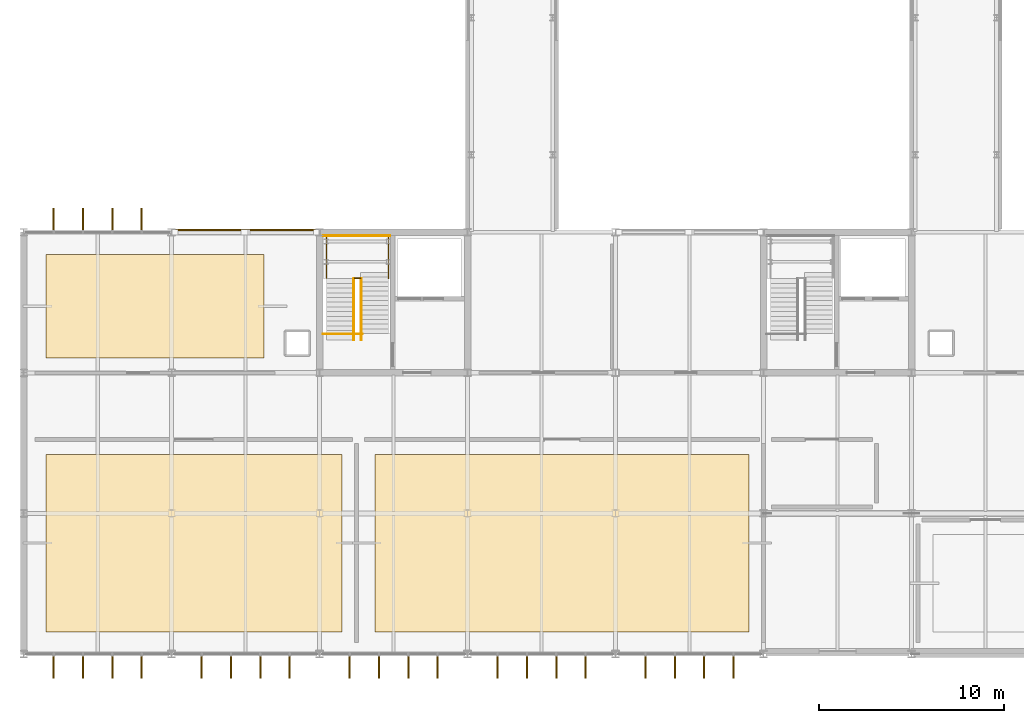
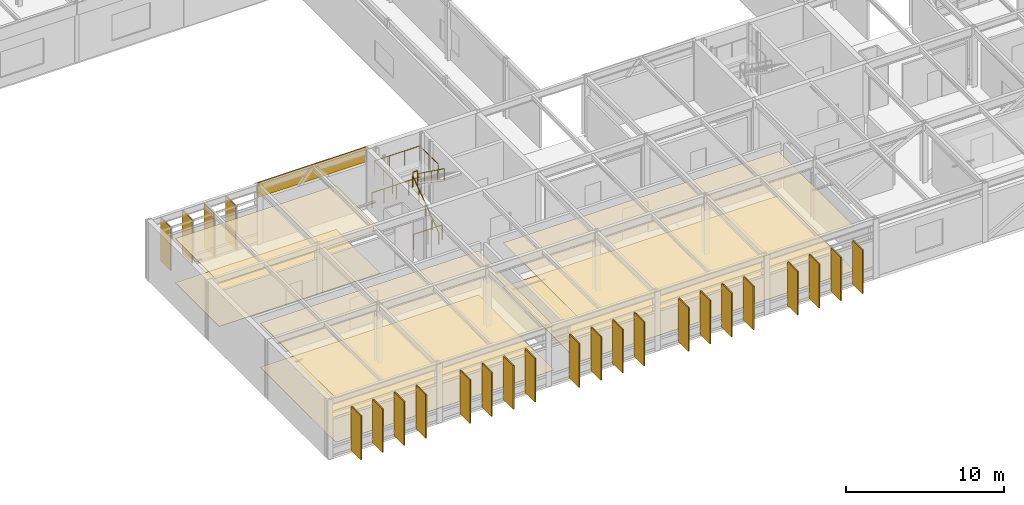
# One storey, part 96 of 104: 24 shading devices, 7 coverings, 6 railings.
"""IFC4 building model written with IfcOpenShell, lengths in metres."""

from ifc_helpers import new_model, si_unit, direction, frame, origin, origin_2d, place, context, subcontext, project, spatial, polyline, rectangle, circle, outline, extrude, material, layer, layer_set, type_object, element, save


model = new_model("IFC4")

# Units and contexts
model_context = context("Model", 3, precision=1e-05, world=origin(), true_north=direction((0.0, 1.0)))
body_context = subcontext(model_context, "Body", "Model", "MODEL_VIEW")
ifc_project = project(units=[si_unit("LENGTHUNIT", "METRE"), si_unit("AREAUNIT", "SQUARE_METRE"), si_unit("VOLUMEUNIT", "CUBIC_METRE"), si_unit("PLANEANGLEUNIT", "RADIAN"), si_unit("MASSUNIT", "GRAM", prefix="KILO")], contexts=[model_context])

# Site, building, storey
site_placement = place(None, origin())
site = spatial("IfcSite", under=ifc_project, at=site_placement, CompositionType="ELEMENT")
building_placement = place(site_placement, origin())
building = spatial("IfcBuilding", under=site, at=building_placement, Name="Zulena Civic Courthouse", CompositionType="ELEMENT")
storey_placement = place(building_placement, frame((0.0, 0.0, 15.60009765625)))
storey = spatial("IfcBuildingStorey", under=building, at=storey_placement, Name="L03", CompositionType="ELEMENT", Elevation=15.60009765625)

# Coverings
ifc_material_1 = material(Name="Perforated acoustic mineral-fibre ceiling tile", Category="concrete")
ifc_layer_1 = layer(ifc_material_1, 0.02490234375)
ifc_layer_set_1 = layer_set([ifc_layer_1], Name="Perforated acoustic mineral-fibre ceiling tile")
covering_type_1 = type_object("IfcCoveringType", Name="AcousticCeiling_25", PredefinedType="CEILING", material=ifc_layer_set_1)
covering_1_placement = place(storey_placement, frame((0.0, 0.0, 3.419921875)))
element("IfcCovering", 1, at=covering_1_placement, inside=storey, type_object=covering_type_1, Name="ceil:L03:311", PredefinedType="CEILING", context=body_context, shape_type="SweptSolid", body=[
    extrude(outline(polyline([(5.199951171875, 1.199951171875), (21.199951171875, 1.199951171875), (21.199951171875, 10.800048828125), (5.199951171875, 10.800048828125), (5.199951171875, 1.199951171875)])), origin(), (0.0, 0.0, 1.0), 0.02490234375),
])
covering_2_placement = place(storey_placement, frame((0.0, 0.0, 3.419921875)))
element("IfcCovering", 2, at=covering_2_placement, inside=storey, type_object=covering_type_1, Name="ceil:L03:312", PredefinedType="CEILING", context=body_context, shape_type="SweptSolid", body=[
    extrude(outline(polyline([(23.0, 1.199951171875), (43.199951171875, 1.199951171875), (43.199951171875, 10.800048828125), (23.0, 10.800048828125), (23.0, 1.199951171875)])), origin(), (0.0, 0.0, 1.0), 0.02490234375),
])
covering_3_placement = place(storey_placement, frame((0.0, 0.0, 3.419921875)))
element("IfcCovering", 3, at=covering_3_placement, inside=storey, type_object=covering_type_1, Name="ceil:L03:317", PredefinedType="CEILING", context=body_context, shape_type="SweptSolid", body=[
    extrude(outline(polyline([(5.199951171875, 16.0), (17.0, 16.0), (17.0, 21.60009765625), (5.199951171875, 21.60009765625), (5.199951171875, 16.0)])), origin(), (0.0, 0.0, 1.0), 0.02490234375),
])

# Shading devices
ifc_material_2 = material(Name="Gold anodised architectural aluminium AA6063-T6", Category="aluminium")
shading_device_type = type_object("IfcShadingDeviceType", Name="GoldSolarFin_350", PredefinedType="USERDEFINED", material=ifc_material_2)
for number, where, z_axis, x_axis, name in (
    (4, (5.62158203125, 23.485107421875, 0.0498046875), (0.0, 0.0, 1.0), (0.0, 1.0, 0.0), "fin:V2:L03:1:0:1"),
    (5, (7.207275390625, 23.485107421875, 0.0498046875), (0.0, 0.0, 1.0), (0.0, 1.0, 0.0), "fin:V2:L03:1:0:2"),
    (6, (8.792724609375, 23.485107421875, 0.0498046875), (0.0, 0.0, 1.0), (0.0, 1.0, 0.0), "fin:V2:L03:1:0:3"),
    (7, (10.37841796875, 23.485107421875, 0.0498046875), (0.0, 0.0, 1.0), (0.0, 1.0, 0.0), "fin:V2:L03:1:0:4"),
    (8, (42.37841796875, -0.68505859375, 0.0498046875), (0.0, 0.0, 1.0), (0.0, -1.0, 0.0), "fin:V2:L03:3:3:1"),
    (9, (40.792724609375, -0.68505859375, 0.0498046875), (0.0, 0.0, 1.0), (0.0, -1.0, 0.0), "fin:V2:L03:3:3:2"),
    (10, (39.207275390625, -0.68505859375, 0.0498046875), (0.0, 0.0, 1.0), (0.0, -1.0, 0.0), "fin:V2:L03:3:3:3"),
    (11, (37.62158203125, -0.68505859375, 0.0498046875), (0.0, 0.0, 1.0), (0.0, -1.0, 0.0), "fin:V2:L03:3:3:4"),
    (12, (34.37841796875, -0.68505859375, 0.0498046875), (0.0, 0.0, 1.0), (0.0, -1.0, 0.0), "fin:V2:L03:3:4:1"),
    (13, (32.792724609375, -0.68505859375, 0.0498046875), (0.0, 0.0, 1.0), (0.0, -1.0, 0.0), "fin:V2:L03:3:4:2"),
    (14, (31.207275390625, -0.68505859375, 0.0498046875), (0.0, 0.0, 1.0), (0.0, -1.0, 0.0), "fin:V2:L03:3:4:3"),
    (15, (29.62158203125, -0.68505859375, 0.0498046875), (0.0, 0.0, 1.0), (0.0, -1.0, 0.0), "fin:V2:L03:3:4:4"),
    (16, (26.37841796875, -0.68505859375, 0.0498046875), (0.0, 0.0, 1.0), (0.0, -1.0, 0.0), "fin:V2:L03:3:5:1"),
    (17, (24.792724609375, -0.68505859375, 0.0498046875), (0.0, 0.0, 1.0), (0.0, -1.0, 0.0), "fin:V2:L03:3:5:2"),
    (18, (23.207275390625, -0.68505859375, 0.0498046875), (0.0, 0.0, 1.0), (0.0, -1.0, 0.0), "fin:V2:L03:3:5:3"),
    (19, (21.62158203125, -0.68505859375, 0.0498046875), (0.0, 0.0, 1.0), (0.0, -1.0, 0.0), "fin:V2:L03:3:5:4"),
    (20, (18.37841796875, -0.68505859375, 0.0498046875), (0.0, 0.0, 1.0), (0.0, -1.0, 0.0), "fin:V2:L03:3:6:1"),
    (21, (16.792724609375, -0.68505859375, 0.0498046875), (0.0, 0.0, 1.0), (0.0, -1.0, 0.0), "fin:V2:L03:3:6:2"),
    (22, (15.207275390625, -0.68505859375, 0.0498046875), (0.0, 0.0, 1.0), (0.0, -1.0, 0.0), "fin:V2:L03:3:6:3"),
    (23, (13.62158203125, -0.68505859375, 0.0498046875), (0.0, 0.0, 1.0), (0.0, -1.0, 0.0), "fin:V2:L03:3:6:4"),
    (24, (10.37841796875, -0.68505859375, 0.0498046875), (0.0, 0.0, 1.0), (0.0, -1.0, 0.0), "fin:V2:L03:3:7:1"),
    (25, (8.792724609375, -0.68505859375, 0.0498046875), (0.0, 0.0, 1.0), (0.0, -1.0, 0.0), "fin:V2:L03:3:7:2"),
    (26, (7.207275390625, -0.68505859375, 0.0498046875), (0.0, 0.0, 1.0), (0.0, -1.0, 0.0), "fin:V2:L03:3:7:3"),
    (27, (5.62158203125, -0.68505859375, 0.0498046875), (0.0, 0.0, 1.0), (0.0, -1.0, 0.0), "fin:V2:L03:3:7:4"),
):
    element("IfcShadingDevice", number, at=place(storey_placement, frame(where, z_axis=z_axis, x_axis=x_axis)), inside=storey, type_object=shading_device_type, Name=name, ObjectType="FIN", PredefinedType="USERDEFINED", context=body_context, shape_type="SweptSolid", body=[
        extrude(rectangle(XDim=1.25, YDim=0.080078125, at=origin_2d()), origin(), (0.0, 0.0, 1.0), 3.389892578125),
    ])

# Railings
ifc_material_3 = material(Name="Brushed architectural steel ASTM A36", Category="steel")
railing_type_1 = type_object("IfcRailingType", Name="InteriorGuardrail_1150", PredefinedType="GUARDRAIL", material=ifc_material_3)
railing_1_placement = place(storey_placement, frame((20.199951171875, 22.610107421875, 0.0)))
element("IfcRailing", 28, at=railing_1_placement, inside=storey, type_object=railing_type_1, Name="gr:wellN:K2A:L02", PredefinedType="GUARDRAIL", context=body_context, shape_type="SweptSolid", body=[
    extrude(circle(Radius=0.02392578125, at=origin_2d()), frame((0.00390625, 0.0, 1.1259765625), z_axis=(1.0, 0.0, 0.0), x_axis=(0.0, 1.0, 0.0)), (0.0, 0.0, 1.0), 3.592041015625),
    extrude(circle(Radius=0.02099609375, at=origin_2d()), origin(), (0.0, 0.0, 1.0), 1.097900390625),
    extrude(circle(Radius=0.02099609375, at=origin_2d()), frame((0.89990234375, 0.0, 0.0)), (0.0, 0.0, 1.0), 1.097900390625),
    extrude(circle(Radius=0.02099609375, at=origin_2d()), frame((1.800048828125, 0.0, 0.0)), (0.0, 0.0, 1.0), 1.097900390625),
    extrude(circle(Radius=0.02099609375, at=origin_2d()), frame((2.7001953125, 0.0, 0.0)), (0.0, 0.0, 1.0), 1.097900390625),
    extrude(circle(Radius=0.02099609375, at=origin_2d()), frame((3.60009765625, 0.0, 0.0)), (0.0, 0.0, 1.0), 1.097900390625),
])
railing_2_placement = place(storey_placement, frame((20.179931640625, 17.300048828125, 0.0)))
element("IfcRailing", 29, at=railing_2_placement, inside=storey, type_object=railing_type_1, Name="gr:wells:K2A:L03", PredefinedType="GUARDRAIL", context=body_context, shape_type="SweptSolid", body=[
    extrude(circle(Radius=0.02392578125, at=origin_2d()), frame((0.00390625, 0.0, 1.1259765625), z_axis=(1.0, 0.0, 0.0), x_axis=(0.0, 1.0, 0.0)), (0.0, 0.0, 1.0), 2.112060546875),
    extrude(circle(Radius=0.02099609375, at=origin_2d()), origin(), (0.0, 0.0, 1.0), 1.097900390625),
    extrude(circle(Radius=0.02099609375, at=origin_2d()), frame((1.06005859375, 0.0, 0.0)), (0.0, 0.0, 1.0), 1.097900390625),
    extrude(circle(Radius=0.02099609375, at=origin_2d()), frame((2.1201171875, 0.0, 0.0)), (0.0, 0.0, 1.0), 1.097900390625),
])
railing_3_placement = place(storey_placement, frame((20.3798828125, 20.294677734375, 2.39990234375)))
element("IfcRailing", 30, at=railing_3_placement, inside=storey, type_object=railing_type_1, Name="gr:lnd:K2A:L03", PredefinedType="GUARDRAIL", context=body_context, shape_type="SweptSolid", body=[
    extrude(circle(Radius=0.02392578125, at=origin_2d()), frame((0.0, 0.00390625, 1.1259765625), z_axis=(0.0, 1.0, 0.0), x_axis=(-1.0, 0.0, 0.0)), (0.0, 0.0, 1.0), 2.3173828125),
    extrude(circle(Radius=0.02392578125, at=origin_2d()), frame((0.00390625, 2.325439453125, 1.1259765625), z_axis=(1.0, 0.0, 0.0), x_axis=(0.0, 1.0, 0.0)), (0.0, 0.0, 1.0), 3.33203125),
    extrude(circle(Radius=0.02392578125, at=origin_2d()), frame((3.340087890625, 2.321533203125, 1.1259765625), z_axis=(0.0, -1.0, 0.0), x_axis=(1.0, 0.0, 0.0)), (0.0, 0.0, 1.0), 2.3173828125),
    extrude(circle(Radius=0.02099609375, at=origin_2d()), origin(), (0.0, 0.0, 1.0), 1.097900390625),
    extrude(circle(Radius=0.02099609375, at=origin_2d()), frame((0.0, 1.16259765625, 0.0)), (0.0, 0.0, 1.0), 1.097900390625),
    extrude(circle(Radius=0.02099609375, at=origin_2d()), frame((0.0, 2.325439453125, 0.0)), (0.0, 0.0, 1.0), 1.097900390625),
    extrude(circle(Radius=0.02099609375, at=origin_2d()), frame((1.11328125, 2.325439453125, 0.0)), (0.0, 0.0, 1.0), 1.097900390625),
    extrude(circle(Radius=0.02099609375, at=origin_2d()), frame((2.226806640625, 2.325439453125, 0.0)), (0.0, 0.0, 1.0), 1.097900390625),
    extrude(circle(Radius=0.02099609375, at=origin_2d()), frame((3.340087890625, 2.325439453125, 0.0)), (0.0, 0.0, 1.0), 1.097900390625),
    extrude(circle(Radius=0.02099609375, at=origin_2d()), frame((3.340087890625, 1.16259765625, 0.0)), (0.0, 0.0, 1.0), 1.097900390625),
    extrude(circle(Radius=0.02099609375, at=origin_2d()), frame((3.340087890625, 0.0, 0.0)), (0.0, 0.0, 1.0), 1.097900390625),
])
railing_4_placement = place(storey_placement, frame((21.8798828125, 20.31494140625, 2.39990234375)))
element("IfcRailing", 31, at=railing_4_placement, inside=storey, type_object=railing_type_1, Name="gr:lndslot:K2A:L03", PredefinedType="GUARDRAIL", context=body_context, shape_type="SweptSolid", body=[
    extrude(circle(Radius=0.02392578125, at=origin_2d()), frame((0.00390625, 0.0, 1.1259765625), z_axis=(1.0, 0.0, 0.0), x_axis=(0.0, 1.0, 0.0)), (0.0, 0.0, 1.0), 0.33203125),
    extrude(circle(Radius=0.02099609375, at=origin_2d()), origin(), (0.0, 0.0, 1.0), 1.097900390625),
    extrude(circle(Radius=0.02099609375, at=origin_2d()), frame((0.340087890625, 0.0, 0.0)), (0.0, 0.0, 1.0), 1.097900390625),
])

# Covering
ifc_material_4 = material(Name="White architectural precast concrete C40/50", Category="concrete")
ifc_layer_2 = layer(ifc_material_4, 0.0849609375)
ifc_layer_set_2 = layer_set([ifc_layer_2], Name="White architectural precast concrete C40/50")
covering_type_2 = type_object("IfcCoveringType", Name="PrecastSpandrelCladding_85", PredefinedType="CLADDING", material=ifc_layer_set_2)
covering_4_placement = place(storey_placement, frame((16.0, 22.919921875, 3.4599609375), z_axis=(0.0, 0.0, 1.0), x_axis=(1.0, 0.0, 0.0)))
element("IfcCovering", 32, at=covering_4_placement, inside=storey, type_object=covering_type_2, Name="clad:sp:V2:L03:1:1", PredefinedType="CLADDING", context=body_context, shape_type="SweptSolid", body=[
    extrude(rectangle(XDim=7.9599609375, YDim=0.0849609375, at=origin_2d()), origin(), (0.0, 0.0, 1.0), 1.139892578125),
])

# Railings
railing_type_2 = type_object("IfcRailingType", Name="StairHandrail_920", PredefinedType="HANDRAIL", material=ifc_material_3)
railing_5_placement = place(storey_placement, frame((21.85009765625, 16.97998046875, 0.0)))
element("IfcRailing", 33, at=railing_5_placement, inside=storey, type_object=railing_type_2, Name="hr:K2A:L03:1", PredefinedType="HANDRAIL", context=body_context, shape_type="SweptSolid", body=[
    extrude(circle(Radius=0.02392578125, at=origin_2d()), frame((0.0, 0.003173828125, 0.898193359375), z_axis=(0.0, 0.80998804985, 0.586446382119), x_axis=(-1.0, 0.0, 0.0)), (0.0, 0.0, 1.0), 4.084228515625),
    extrude(circle(Radius=0.02099609375, at=origin_2d()), origin(), (0.0, 0.0, 1.0), 0.867919921875),
    extrude(circle(Radius=0.02099609375, at=origin_2d()), frame((0.0, 0.82861328125, 0.60009765625)), (0.0, 0.0, 1.0), 0.867919921875),
    extrude(circle(Radius=0.02099609375, at=origin_2d()), frame((0.0, 1.6572265625, 1.199951171875)), (0.0, 0.0, 1.0), 0.867919921875),
    extrude(circle(Radius=0.02099609375, at=origin_2d()), frame((0.0, 2.486083984375, 1.7998046875)), (0.0, 0.0, 1.0), 0.867919921875),
    extrude(circle(Radius=0.02099609375, at=origin_2d()), frame((0.0, 3.314697265625, 2.39990234375)), (0.0, 0.0, 1.0), 0.867919921875),
])
railing_6_placement = place(storey_placement, frame((22.25, 20.294677734375, 2.39990234375)))
element("IfcRailing", 34, at=railing_6_placement, inside=storey, type_object=railing_type_2, Name="hr:K2A:L03:2", PredefinedType="HANDRAIL", context=body_context, shape_type="SweptSolid", body=[
    extrude(circle(Radius=0.02392578125, at=origin_2d()), frame((0.0, -0.003173828125, 0.898193359375), z_axis=(0.0, -0.80998804985, 0.586446382119), x_axis=(1.0, 0.0, 0.0)), (0.0, 0.0, 1.0), 4.084228515625),
    extrude(circle(Radius=0.02099609375, at=origin_2d()), origin(), (0.0, 0.0, 1.0), 0.867919921875),
    extrude(circle(Radius=0.02099609375, at=origin_2d()), frame((0.0, -0.82861328125, 0.60009765625)), (0.0, 0.0, 1.0), 0.867919921875),
    extrude(circle(Radius=0.02099609375, at=origin_2d()), frame((0.0, -1.6572265625, 1.199951171875)), (0.0, 0.0, 1.0), 0.867919921875),
    extrude(circle(Radius=0.02099609375, at=origin_2d()), frame((0.0, -2.486083984375, 1.7998046875)), (0.0, 0.0, 1.0), 0.867919921875),
    extrude(circle(Radius=0.02099609375, at=origin_2d()), frame((0.0, -3.314697265625, 2.39990234375)), (0.0, 0.0, 1.0), 0.867919921875),
])

# Coverings
ifc_material_5 = material(Name="Honed travertine stone flooring", Category="masonry")
ifc_layer_3 = layer(ifc_material_5, 0.030029296875)
ifc_layer_set_3 = layer_set([ifc_layer_3], Name="Honed travertine stone flooring")
covering_type_3 = type_object("IfcCoveringType", Name="TravertineFlooring_30", PredefinedType="FLOORING", material=ifc_layer_set_3)
covering_5_placement = place(storey_placement, origin())
element("IfcCovering", 35, at=covering_5_placement, inside=storey, type_object=covering_type_3, Name="floor:L03:311", PredefinedType="FLOORING", context=body_context, shape_type="SweptSolid", body=[
    extrude(outline(polyline([(5.199951171875, 1.199951171875), (21.199951171875, 1.199951171875), (21.199951171875, 10.800048828125), (5.199951171875, 10.800048828125), (5.199951171875, 1.199951171875)])), origin(), (0.0, 0.0, 1.0), 0.02978515625),
])
covering_6_placement = place(storey_placement, origin())
element("IfcCovering", 36, at=covering_6_placement, inside=storey, type_object=covering_type_3, Name="floor:L03:312", PredefinedType="FLOORING", context=body_context, shape_type="SweptSolid", body=[
    extrude(outline(polyline([(23.0, 1.199951171875), (43.199951171875, 1.199951171875), (43.199951171875, 10.800048828125), (23.0, 10.800048828125), (23.0, 1.199951171875)])), origin(), (0.0, 0.0, 1.0), 0.02978515625),
])
covering_7_placement = place(storey_placement, origin())
element("IfcCovering", 37, at=covering_7_placement, inside=storey, type_object=covering_type_3, Name="floor:L03:317", PredefinedType="FLOORING", context=body_context, shape_type="SweptSolid", body=[
    extrude(outline(polyline([(5.199951171875, 16.0), (17.0, 16.0), (17.0, 21.60009765625), (5.199951171875, 21.60009765625), (5.199951171875, 16.0)])), origin(), (0.0, 0.0, 1.0), 0.02978515625),
])

save(model, "model.ifc")
